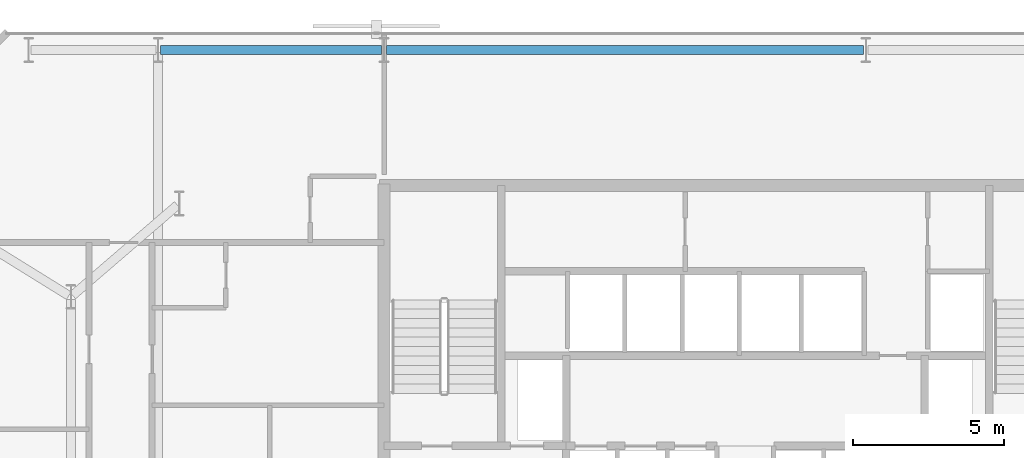
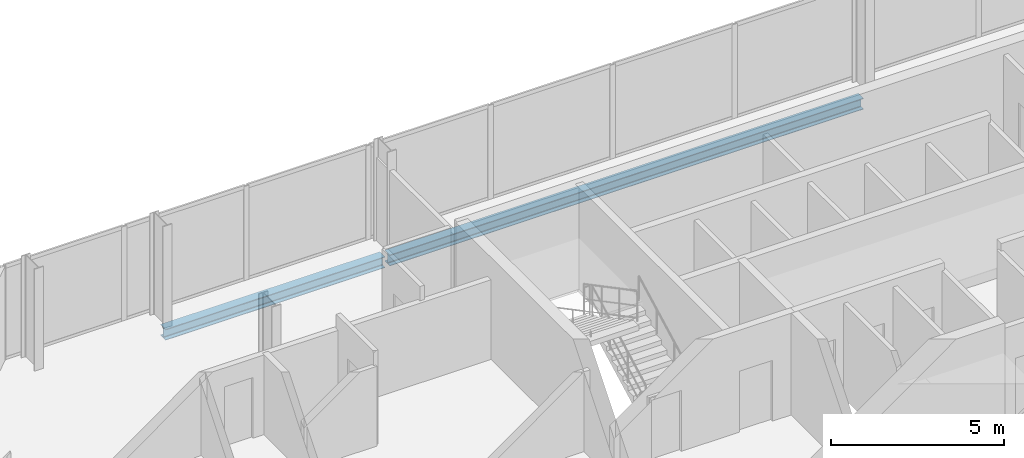
# One storey, part 21 of 33: 2 beams.
"""IFC4 building model written with IfcOpenShell, lengths in metres."""

from ifc_helpers import new_model, si_unit, direction, frame, origin, origin_2d, place, context, subcontext, project, spatial, i_section, extrude, material, material_profile, profile_set, type_object, element, save


model = new_model("IFC4")

# Units and contexts
model_context = context("Model", 3, precision=1e-05, world=origin(), true_north=direction((0.0, 1.0)))
body_context = subcontext(model_context, "Body", "Model", "MODEL_VIEW")
ifc_project = project(units=[si_unit("LENGTHUNIT", "METRE"), si_unit("AREAUNIT", "SQUARE_METRE"), si_unit("VOLUMEUNIT", "CUBIC_METRE"), si_unit("PLANEANGLEUNIT", "RADIAN"), si_unit("MASSUNIT", "GRAM", prefix="KILO")], contexts=[model_context])

# Site, building, storey
site_placement = place(None, origin())
site = spatial("IfcSite", under=ifc_project, at=site_placement, CompositionType="ELEMENT")
building_placement = place(site_placement, origin())
building = spatial("IfcBuilding", under=site, at=building_placement, Name="Catumbela Crestline Tower", CompositionType="ELEMENT")
storey_placement = place(building_placement, frame((0.0, 0.0, 54.6)))
storey = spatial("IfcBuildingStorey", under=building, at=storey_placement, Name="L13", CompositionType="ELEMENT", Elevation=54.6)

# Beams
ifc_material = material(Name="Structural steel S355J2", Category="steel")
ifc_material_profile = material_profile(ifc_material, i_section(OverallWidth=0.3, OverallDepth=0.39, WebThickness=0.011, FlangeThickness=0.019, FilletRadius=0.027, at=origin_2d()), Name="HEA 400")
ifc_profile_set = profile_set([ifc_material_profile], Name="Structural steel S355J2")
beam_type = type_object("IfcBeamType", Name="BS-HEA400", PredefinedType="SPANDREL", material=ifc_profile_set)
beam_1_placement = place(storey_placement, frame((8.58, 47.4, -0.455), z_axis=(1.0, 0.0, 0.0), x_axis=(0.0, 1.0, 0.0)))
element("IfcBeam", 1, at=beam_1_placement, inside=storey, type_object=beam_type, Name="L13 Spandrel SP-L13-NF20", PredefinedType="SPANDREL", context=body_context, shape_type="SweptSolid", body=[
    extrude(i_section(OverallWidth=0.3, OverallDepth=0.39, WebThickness=0.011, FlangeThickness=0.019, FilletRadius=0.027, at=origin_2d()), origin(), (0.0, 0.0, 1.0), 7.34),
])
beam_2_placement = place(storey_placement, frame((16.08, 47.4, -0.455), z_axis=(1.0, 0.0, 0.0), x_axis=(0.0, 1.0, 0.0)))
element("IfcBeam", 2, at=beam_2_placement, inside=storey, type_object=beam_type, Name="L13 Spandrel SP-L13-NF21", PredefinedType="SPANDREL", context=body_context, shape_type="SweptSolid", body=[
    extrude(i_section(OverallWidth=0.3, OverallDepth=0.39, WebThickness=0.011, FlangeThickness=0.019, FilletRadius=0.027, at=origin_2d()), origin(), (0.0, 0.0, 1.0), 15.84),
])

save(model, "model.ifc")
